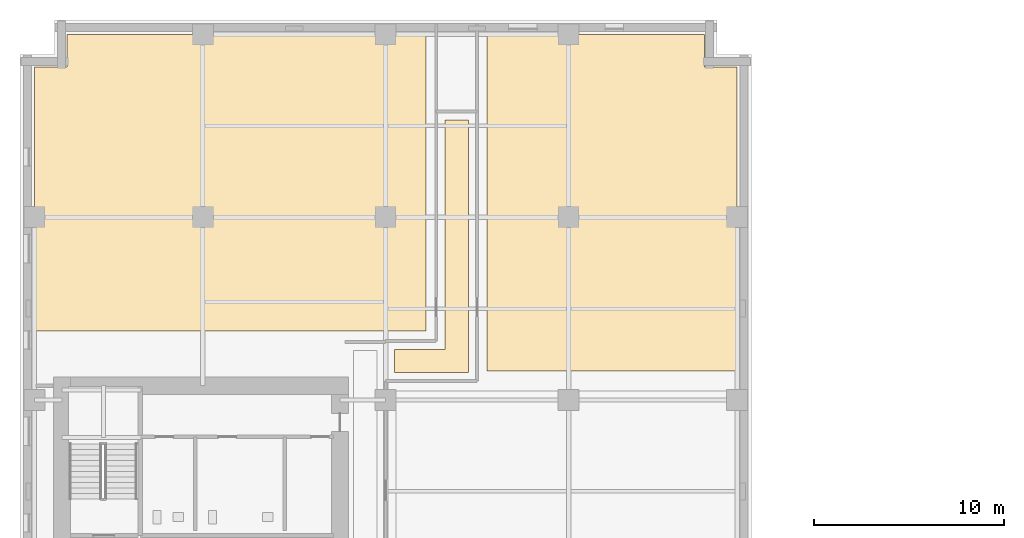
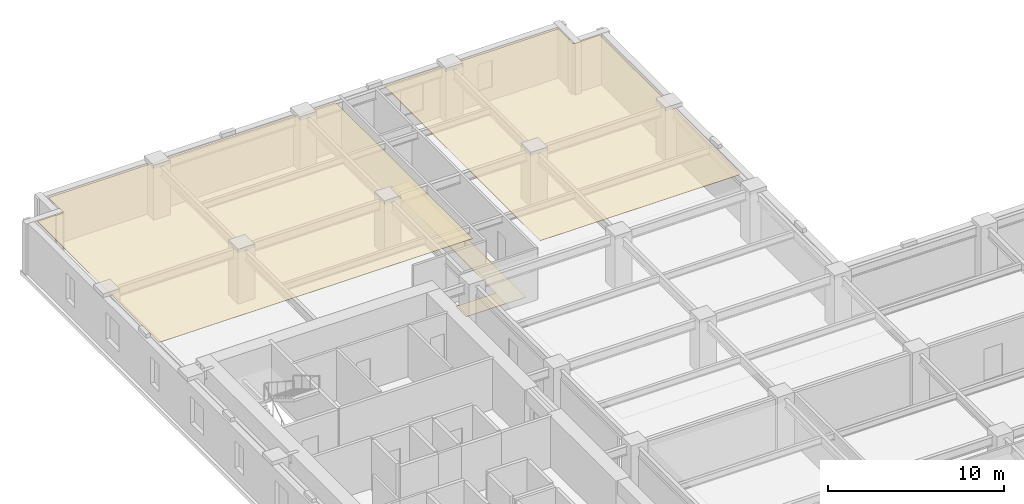
# One storey, part 12 of 13: 3 coverings.
"""IFC4 building model written with IfcOpenShell, lengths in metres."""

from ifc_helpers import new_model, si_unit, direction, frame, origin, place, context, subcontext, project, spatial, polyline, outline, extrude, material, layer, layer_set, type_object, element, save


model = new_model("IFC4")

# Units and contexts
model_context = context("Model", 3, precision=1e-05, world=origin(), true_north=direction((0.0, 1.0)))
body_context = subcontext(model_context, "Body", "Model", "MODEL_VIEW")
ifc_project = project(units=[si_unit("LENGTHUNIT", "METRE"), si_unit("AREAUNIT", "SQUARE_METRE"), si_unit("VOLUMEUNIT", "CUBIC_METRE"), si_unit("PLANEANGLEUNIT", "RADIAN"), si_unit("MASSUNIT", "GRAM", prefix="KILO")], contexts=[model_context])

# Site, building, storey
site_placement = place(None, origin())
site = spatial("IfcSite", under=ifc_project, at=site_placement, CompositionType="ELEMENT")
building_placement = place(site_placement, origin())
building = spatial("IfcBuilding", under=site, at=building_placement, Name="Norrvale University Quadrangle", CompositionType="ELEMENT")
storey_placement = place(building_placement, frame((0.0, 0.0, 69.800048828125)))
storey = spatial("IfcBuildingStorey", under=building, at=storey_placement, Name="L17", CompositionType="ELEMENT", Elevation=69.800048828125)

# Coverings
ifc_material_1 = material(Name="Perforated Acoustic Mineral Ceiling")
ifc_layer_1 = layer(ifc_material_1, 0.02490234375, Name="Perforated Acoustic Mineral Ceiling")
ifc_layer_set_1 = layer_set([ifc_layer_1], Name="Perforated Acoustic Mineral Ceiling")
covering_type_1 = type_object("IfcCoveringType", Name="Covering Acoustic Ceiling 25", PredefinedType="CEILING", material=ifc_layer_set_1)
covering_1_placement = place(storey_placement, frame((0.0, 0.0, 3.514892578125)))
element("IfcCovering", 1, at=covering_1_placement, inside=storey, type_object=covering_type_1, Name="Acoustic Ceiling RM-L17-NE01", PredefinedType="CEILING", context=body_context, shape_type="SweptSolid", body=[
    extrude(outline(polyline([(37.64990234375, 48.780029296875), (24.530029296875, 48.780029296875), (24.530029296875, 66.449951171875), (35.929931640625, 66.449951171875), (35.929931640625, 64.72998046875), (37.64990234375, 64.72998046875), (37.64990234375, 48.780029296875)])), origin(), (0.0, 0.0, 1.0), 0.025146484375),
])
covering_2_placement = place(storey_placement, frame((0.0, 0.0, 3.514892578125)))
element("IfcCovering", 2, at=covering_2_placement, inside=storey, type_object=covering_type_1, Name="Acoustic Ceiling RM-L17-NW01", PredefinedType="CEILING", context=body_context, shape_type="SweptSolid", body=[
    extrude(outline(polyline([(21.320068359375, 66.449951171875), (21.320068359375, 50.8798828125), (0.75, 50.8798828125), (0.75, 64.72998046875), (2.469970703125, 64.72998046875), (2.469970703125, 66.449951171875), (21.320068359375, 66.449951171875)])), origin(), (0.0, 0.0, 1.0), 0.025146484375),
])
ifc_material_2 = material(Name="Polished Terrazzo Flooring")
ifc_layer_2 = layer(ifc_material_2, 0.02490234375, Name="Polished Terrazzo Flooring")
ifc_layer_set_2 = layer_set([ifc_layer_2], Name="Polished Terrazzo Flooring")
covering_type_2 = type_object("IfcCoveringType", Name="Covering Terrazzo Floor 30", PredefinedType="FLOORING", material=ifc_layer_set_2)
covering_3_placement = place(storey_placement, origin())
element("IfcCovering", 3, at=covering_3_placement, inside=storey, type_object=covering_type_2, Name="Terrazzo Flooring RM-L17-NCJOG", PredefinedType="FLOORING", context=body_context, shape_type="SweptSolid", body=[
    extrude(outline(polyline([(19.64990234375, 48.699951171875), (19.64990234375, 49.89990234375), (22.300048828125, 49.89990234375), (22.300048828125, 61.949951171875), (23.550048828125, 61.949951171875), (23.550048828125, 48.699951171875), (19.64990234375, 48.699951171875)])), origin(), (0.0, 0.0, 1.0), 0.02490234375),
])

save(model, "model.ifc")
